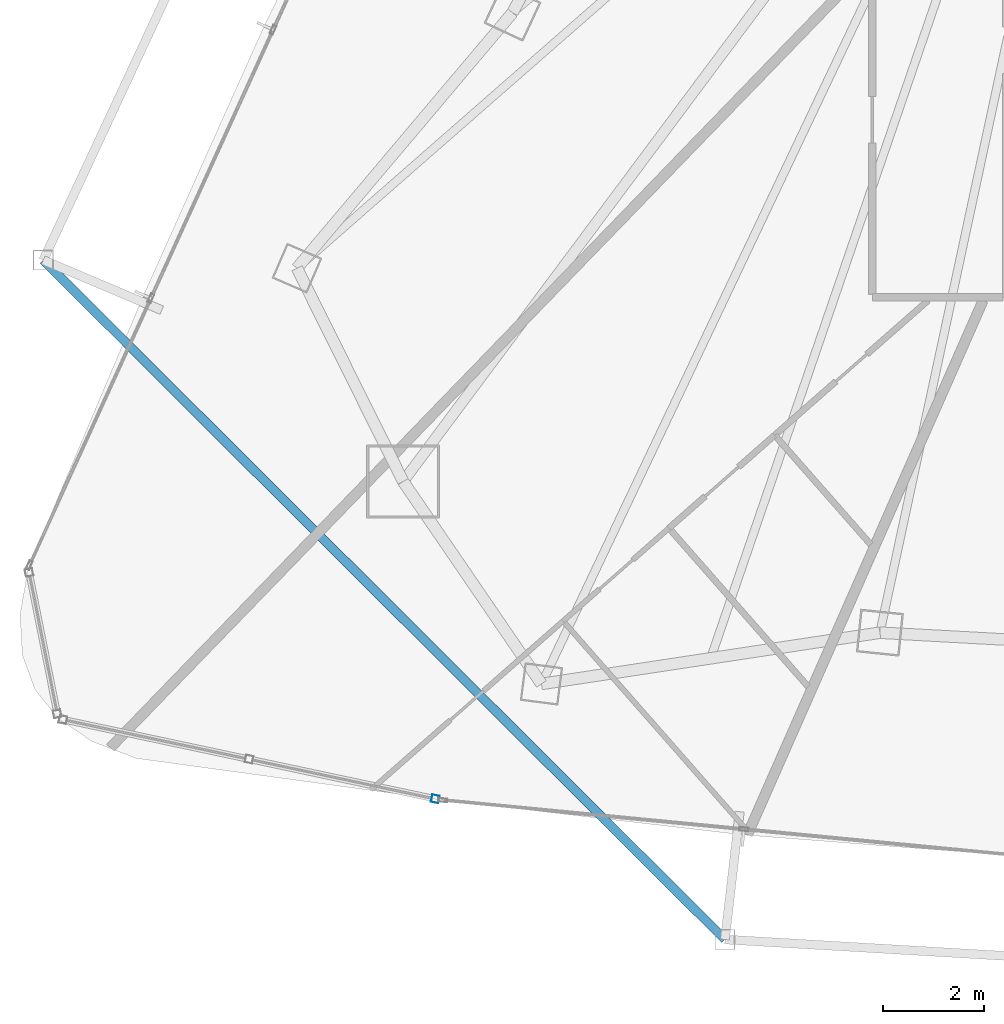
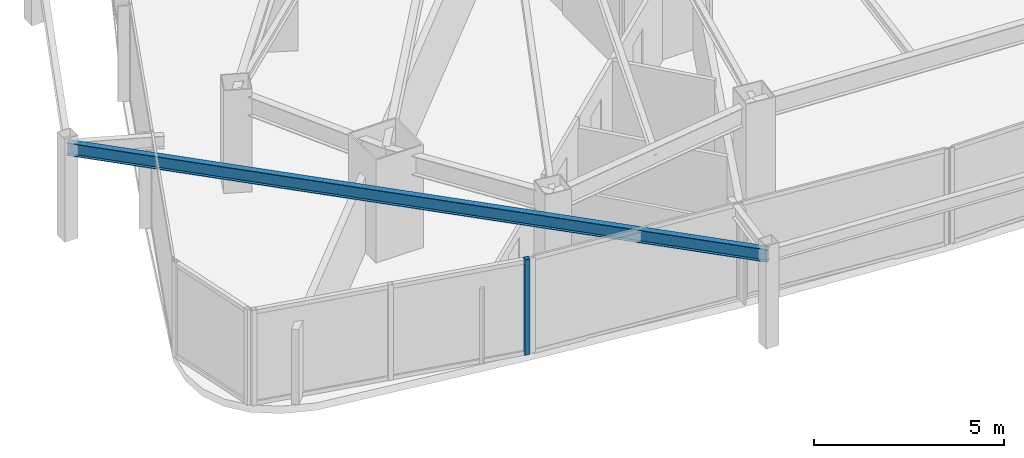
# One storey, part 3 of 31: 1 beam, 1 member, 1 element without a shape of its own.
"""IFC4 building model written with IfcOpenShell, lengths in metres."""

from ifc_helpers import new_model, si_unit, direction, frame, origin, origin_2d, place, context, subcontext, project, spatial, hollow_rectangle, i_section, extrude, material, layer, layer_set, material_profile, profile_set, type_object, element, aggregate, save


model = new_model("IFC4")

# Units and contexts
model_context = context("Model", 3, precision=1e-05, world=origin(), true_north=direction((0.0, 1.0)))
body_context = subcontext(model_context, "Body", "Model", "MODEL_VIEW")
ifc_project = project(units=[si_unit("LENGTHUNIT", "METRE"), si_unit("AREAUNIT", "SQUARE_METRE"), si_unit("VOLUMEUNIT", "CUBIC_METRE"), si_unit("PLANEANGLEUNIT", "RADIAN"), si_unit("MASSUNIT", "GRAM", prefix="KILO")], contexts=[model_context])

# Site, building, storey
site_placement = place(None, origin())
site = spatial("IfcSite", under=ifc_project, at=site_placement, CompositionType="ELEMENT")
building_placement = place(site_placement, origin())
building = spatial("IfcBuilding", under=site, at=building_placement, Name="Orvanel Arch Residences", CompositionType="ELEMENT")
storey_placement = place(building_placement, frame((0.0, 0.0, 110.0)))
storey = spatial("IfcBuildingStorey", under=building, at=storey_placement, Name="L30", CompositionType="ELEMENT", Elevation=110.0)

# Curtain wall, member
ifc_material_1 = material(Name="Bronze-anodised aluminium AA6063-T6", Category="aluminium")
ifc_layer = layer(ifc_material_1, 0.18994140625)
ifc_layer_set = layer_set([ifc_layer], Name="Bronze-anodised aluminium AA6063-T6")
curtain_wall_type = type_object("IfcCurtainWallType", Name="CW5-CRN-SYS", PredefinedType="NOTDEFINED", material=ifc_layer_set)
curtain_wall_placement = place(storey_placement, origin())
curtain_wall = element("IfcCurtainWall", 1, at=curtain_wall_placement, inside=storey, type_object=curtain_wall_type, Name="L30 CW5-CRN-SYS Unitised Curtain Wall", PredefinedType="NOTDEFINED")
ifc_material_profile_1 = material_profile(ifc_material_1, hollow_rectangle(XDim=0.14990234375, YDim=0.14990234375, WallThickness=0.0048828125, at=origin_2d()), Name="ALU150x150x5")
ifc_profile_set_1 = profile_set([ifc_material_profile_1], Name="Bronze-anodised aluminium AA6063-T6")
member_type = type_object("IfcMemberType", Name="MUL-150x150", PredefinedType="MULLION", material=ifc_profile_set_1)
member_placement = place(storey_placement, frame((14.836669921875, 4.060546875, 0.0), z_axis=(0.0, 0.0, 1.0), x_axis=(0.208295433244, 0.978065955082, 0.0)))
member = element("IfcMember", 2, at=member_placement, type_object=member_type, Name="CW-S5 mullion 3", PredefinedType="MULLION", context=body_context, shape_type="SweptSolid", body=[
    extrude(hollow_rectangle(XDim=0.14990234375, YDim=0.14990234375, WallThickness=0.0048828125, at=origin_2d()), origin(), (0.0, 0.0, 1.0), 3.06005859375),
])
aggregate(curtain_wall, [member])

# Beam
ifc_material_2 = material(Name="Structural steel AS/NZS 3679.1 Grade 300 (300 MPa)", Category="steel")
ifc_material_profile_2 = material_profile(ifc_material_2, i_section(OverallWidth=0.177978515625, OverallDepth=0.406005859375, WebThickness=0.0078125, FlangeThickness=0.0126953125, at=origin_2d()), Name="410UB59.7")
ifc_profile_set_2 = profile_set([ifc_material_profile_2], Name="Structural steel AS/NZS 3679.1 Grade 300 (300 MPa)")
beam_type = type_object("IfcBeamType", Name="OB-410UB-EXT", PredefinedType="SPANDREL", material=ifc_profile_set_2)
beam_placement = place(storey_placement, frame((7.06591796875, 14.739013671875, 2.85693359375), z_axis=(0.708308862663, -0.705902652689, 0.0), x_axis=(0.705902652689, 0.708308862663, 0.0)))
element("IfcBeam", 3, at=beam_placement, inside=storey, type_object=beam_type, Name="L30 Outer Perimeter Floor Ring Beam 04", PredefinedType="SPANDREL", context=body_context, shape_type="SweptSolid", body=[
    extrude(i_section(OverallWidth=0.177978515625, OverallDepth=0.406005859375, WebThickness=0.0078125, FlangeThickness=0.0126953125, at=origin_2d()), origin(), (0.0, 0.0, 1.0), 19.074951171875),
])

save(model, "model.ifc")
